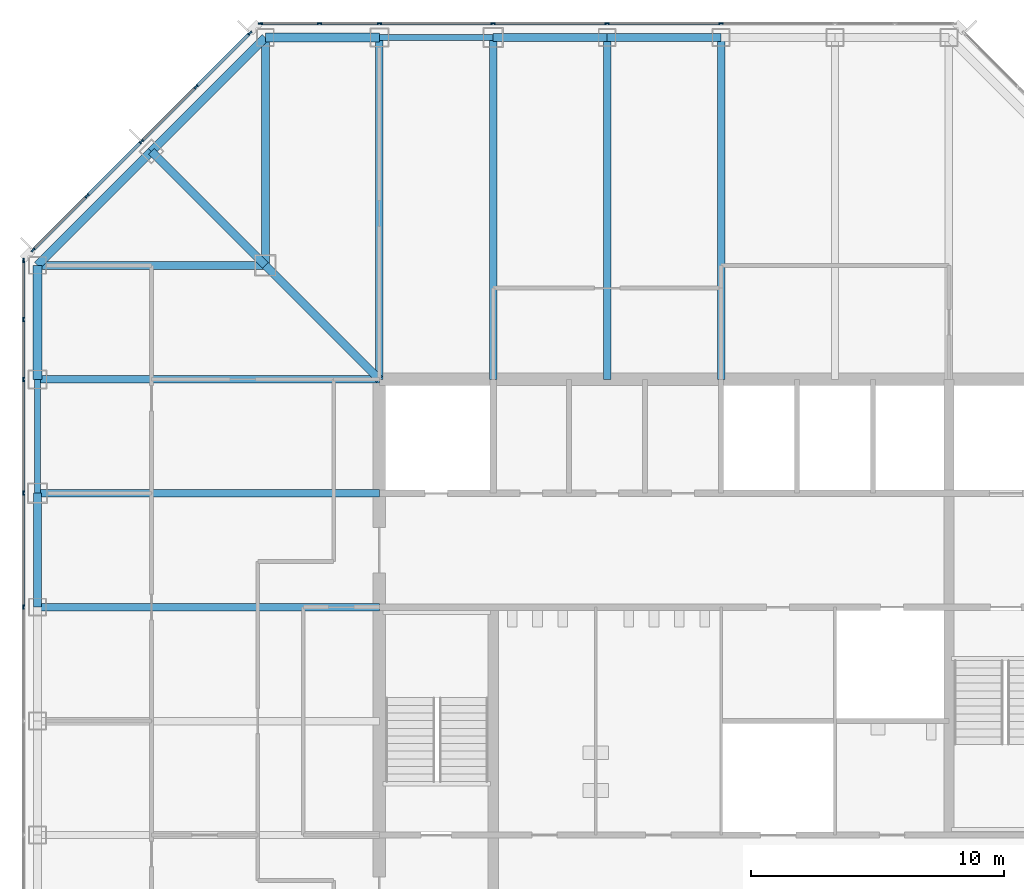
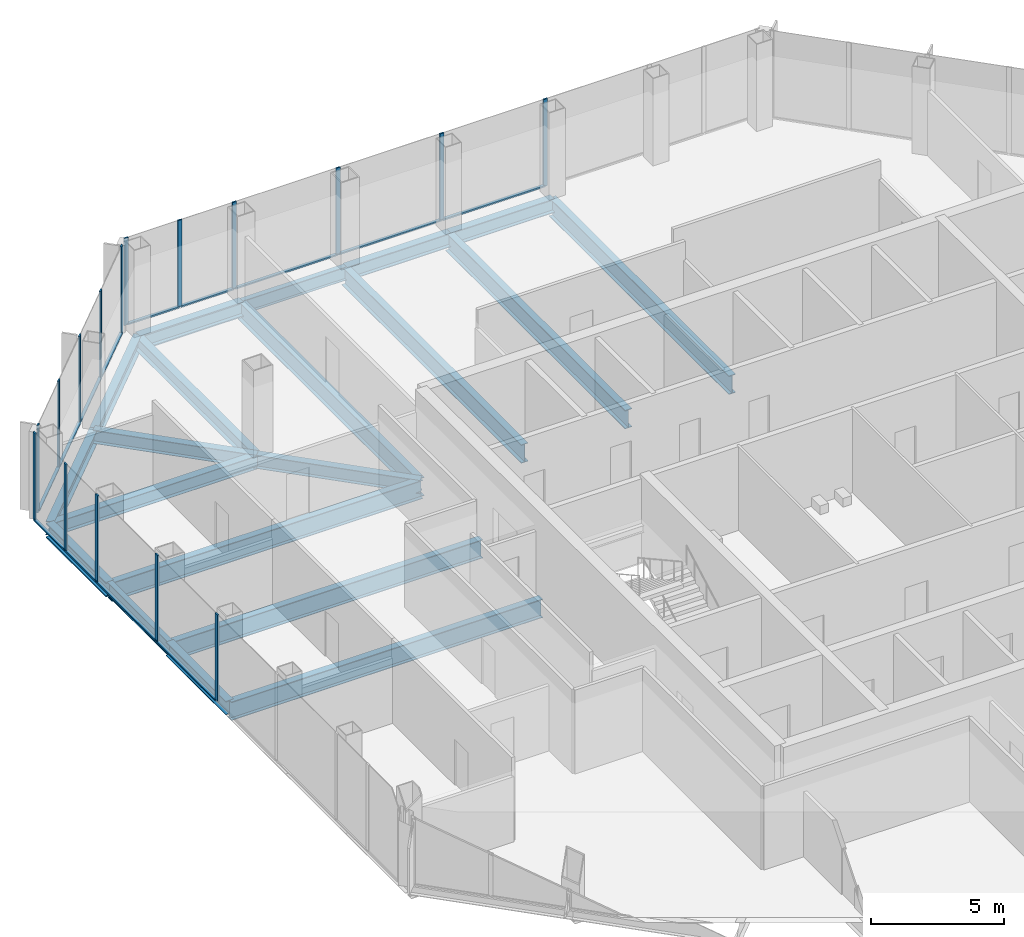
# One storey, part 5 of 13: 29 members, 20 beams, 3 elements without a shape of their own.
"""IFC4 building model written with IfcOpenShell, lengths in metres."""

from ifc_helpers import new_model, si_unit, direction, frame, origin, origin_2d, place, context, subcontext, project, spatial, rectangle, i_section, extrude, material, material_profile, profile_set, type_object, element, aggregate, save


model = new_model("IFC4")

# Units and contexts
model_context = context("Model", 3, precision=1e-05, world=origin(), true_north=direction((0.0, 1.0)))
body_context = subcontext(model_context, "Body", "Model", "MODEL_VIEW")
ifc_project = project(units=[si_unit("LENGTHUNIT", "METRE"), si_unit("AREAUNIT", "SQUARE_METRE"), si_unit("VOLUMEUNIT", "CUBIC_METRE"), si_unit("PLANEANGLEUNIT", "RADIAN"), si_unit("MASSUNIT", "GRAM", prefix="KILO")], contexts=[model_context])

# Site, building, storey
site_placement = place(None, origin())
site = spatial("IfcSite", under=ifc_project, at=site_placement, CompositionType="ELEMENT")
building_placement = place(site_placement, origin())
building = spatial("IfcBuilding", under=site, at=building_placement, Name="Corais Broadcast Tower", CompositionType="ELEMENT")
storey_placement = place(building_placement, frame((0.0, 0.0, 175.60009765625)))
storey = spatial("IfcBuildingStorey", under=building, at=storey_placement, Name="L40", CompositionType="ELEMENT", Elevation=175.60009765625)

# Beams
ifc_material_1 = material(Name="Steel ASTM A572 Grade 50", Category="steel")
ifc_material_profile_1 = material_profile(ifc_material_1, i_section(OverallWidth=0.323974609375, OverallDepth=0.611083984375, WebThickness=0.0126953125, FlangeThickness=0.01904296875, at=origin_2d()), Name="W610x155")
ifc_profile_set_1 = profile_set([ifc_material_profile_1], Name="Steel ASTM A572 Grade 50")
beam_type_1 = type_object("IfcBeamType", Name="Chamfer tie W610x155", PredefinedType="BEAM", material=ifc_profile_set_1)
beam_1_placement = place(storey_placement, frame((4.5, 49.5, -0.465576171875), z_axis=(0.707106781187, -0.707106781187, 0.0), x_axis=(0.707106781187, 0.707106781187, 0.0)))
element("IfcBeam", 1, at=beam_1_placement, inside=storey, type_object=beam_type_1, Name="B5 M/4 to L/5", PredefinedType="BEAM", context=body_context, shape_type="SweptSolid", body=[
    extrude(i_section(OverallWidth=0.323974609375, OverallDepth=0.611083984375, WebThickness=0.0126953125, FlangeThickness=0.01904296875, at=origin_2d()), origin(), (0.0, 0.0, 1.0), 6.364013671875),
])
ifc_material_2 = material(Name="Steel ASTM A572 Grade 50", Category="steel")
ifc_material_profile_2 = material_profile(ifc_material_2, i_section(OverallWidth=0.323974609375, OverallDepth=0.611083984375, WebThickness=0.0126953125, FlangeThickness=0.01904296875, at=origin_2d()), Name="W610x155")
ifc_profile_set_2 = profile_set([ifc_material_profile_2], Name="Steel ASTM A572 Grade 50")
beam_type_2 = type_object("IfcBeamType", Name="Corner diagonal W610x155", PredefinedType="BEAM", material=ifc_profile_set_2)
beam_2_placement = place(storey_placement, frame((9.0, 45.0, -0.465576171875), z_axis=(0.707106781187, -0.707106781187, 0.0), x_axis=(0.707106781187, 0.707106781187, 0.0)))
element("IfcBeam", 2, at=beam_2_placement, inside=storey, type_object=beam_type_2, Name="B6 L/5 to K/6", PredefinedType="BEAM", context=body_context, shape_type="SweptSolid", body=[
    extrude(i_section(OverallWidth=0.323974609375, OverallDepth=0.611083984375, WebThickness=0.0126953125, FlangeThickness=0.01904296875, at=origin_2d()), origin(), (0.0, 0.0, 1.0), 6.364013671875),
])
ifc_material_3 = material(Name="Steel ASTM A572 Grade 50", Category="steel")
ifc_material_profile_3 = material_profile(ifc_material_3, i_section(OverallWidth=0.323974609375, OverallDepth=0.611083984375, WebThickness=0.0126953125, FlangeThickness=0.01904296875, at=origin_2d()), Name="W610x155")
ifc_profile_set_3 = profile_set([ifc_material_profile_3], Name="Steel ASTM A572 Grade 50")
beam_type_3 = type_object("IfcBeamType", Name="Corner girder W610x155", PredefinedType="BEAM", material=ifc_profile_set_3)
for number, where, z_axis, x_axis, name in (
    (3, (0.0, 45.0, -0.465576171875), (1.0, 0.0, 0.0), (0.0, 1.0, 0.0), "B4 L/3 to L/5"),
    (4, (9.0, 54.0, -0.465576171875), (0.0, -1.0, 0.0), (1.0, 0.0, 0.0), "B4 N/5 to L/5"),
):
    element("IfcBeam", number, at=place(storey_placement, frame(where, z_axis=z_axis, x_axis=x_axis)), inside=storey, type_object=beam_type_3, Name=name, PredefinedType="BEAM", context=body_context, shape_type="SweptSolid", body=[
        extrude(i_section(OverallWidth=0.323974609375, OverallDepth=0.611083984375, WebThickness=0.0126953125, FlangeThickness=0.01904296875, at=origin_2d()), origin(), (0.0, 0.0, 1.0), 9.0),
    ])
ifc_material_4 = material(Name="Steel ASTM A572 Grade 50", Category="steel")
ifc_material_profile_4 = material_profile(ifc_material_4, i_section(OverallWidth=0.337890625, OverallDepth=0.677978515625, WebThickness=0.029541015625, FlangeThickness=0.052978515625, at=origin_2d()), Name="W610x415")
ifc_profile_set_4 = profile_set([ifc_material_profile_4], Name="Steel ASTM A572 Grade 50")
beam_type_4 = type_object("IfcBeamType", Name="Corner spandrel W610x415", PredefinedType="BEAM", material=ifc_profile_set_4)
for number, where, z_axis, x_axis, name in (
    (5, (0.0, 45.0, -0.4990234375), (0.0, -1.0, 0.0), (1.0, 0.0, 0.0), "SB10 L/3 to K/3"),
    (6, (13.5, 54.0, -0.4990234375), (-1.0, 0.0, 0.0), (0.0, -1.0, 0.0), "SB10 N/6 to N/5"),
):
    element("IfcBeam", number, at=place(storey_placement, frame(where, z_axis=z_axis, x_axis=x_axis)), inside=storey, type_object=beam_type_4, Name=name, PredefinedType="BEAM", context=body_context, shape_type="SweptSolid", body=[
        extrude(i_section(OverallWidth=0.337890625, OverallDepth=0.677978515625, WebThickness=0.029541015625, FlangeThickness=0.052978515625, at=origin_2d()), origin(), (0.0, 0.0, 1.0), 4.5),
    ])
ifc_material_5 = material(Name="Steel ASTM A572 Grade 50", Category="steel")
ifc_material_profile_5 = material_profile(ifc_material_5, i_section(OverallWidth=0.2939453125, OverallDepth=0.85107421875, WebThickness=0.01611328125, FlangeThickness=0.02685546875, at=origin_2d()), Name="W840x226")
ifc_profile_set_5 = profile_set([ifc_material_profile_5], Name="Steel ASTM A572 Grade 50")
beam_type_5 = type_object("IfcBeamType", Name="Floor beam W840x226", PredefinedType="BEAM", material=ifc_profile_set_5)
for number, where, z_axis, x_axis, name in (
    (7, (0.0, 31.5, -0.585693359375), (1.0, 0.0, 0.0), (0.0, 1.0, 0.0), "B1 H/3 to H/6"),
    (8, (0.0, 36.0, -0.585693359375), (1.0, 0.0, 0.0), (0.0, 1.0, 0.0), "B1 J/3 to J/6"),
    (9, (0.0, 40.5, -0.585693359375), (1.0, 0.0, 0.0), (0.0, 1.0, 0.0), "B1 K/3 to K/6"),
    (10, (13.5, 54.0, -0.585693359375), (0.0, -1.0, 0.0), (1.0, 0.0, 0.0), "B1 N/6 to K/6"),
    (11, (18.0, 54.0, -0.585693359375), (0.0, -1.0, 0.0), (1.0, 0.0, 0.0), "B1 N/7 to K/7"),
    (12, (22.5, 54.0, -0.585693359375), (0.0, -1.0, 0.0), (1.0, 0.0, 0.0), "B1 N/8 to K/8"),
    (13, (27.0, 54.0, -0.585693359375), (0.0, -1.0, 0.0), (1.0, 0.0, 0.0), "B1 N/9 to K/9"),
):
    element("IfcBeam", number, at=place(storey_placement, frame(where, z_axis=z_axis, x_axis=x_axis)), inside=storey, type_object=beam_type_5, Name=name, PredefinedType="BEAM", context=body_context, shape_type="SweptSolid", body=[
        extrude(i_section(OverallWidth=0.2939453125, OverallDepth=0.85107421875, WebThickness=0.01611328125, FlangeThickness=0.02685546875, at=origin_2d()), origin(), (0.0, 0.0, 1.0), 13.5),
    ])

# Curtain wall, members
ifc_material_6 = material(Name="Aluminium and glass", Category="aluminium")
curtain_wall_type = type_object("IfcCurtainWallType", Name="Unitised fritted curtain wall CW2", PredefinedType="NOTDEFINED", material=ifc_material_6)
curtain_wall_1_placement = place(storey_placement, origin())
curtain_wall_1 = element("IfcCurtainWall", 14, at=curtain_wall_1_placement, inside=storey, type_object=curtain_wall_type, Name="CW2 curtain wall L40 2", PredefinedType="NOTDEFINED")
ifc_material_7 = material(Name="Aluminium 6063-T6", Category="aluminium")
ifc_material_profile_6 = material_profile(ifc_material_7, rectangle(XDim=0.06494140625, YDim=0.179931640625, at=origin_2d()), Name="Mullion CW2 65x180")
ifc_profile_set_6 = profile_set([ifc_material_profile_6], Name="Aluminium 6063-T6")
member_type_1 = type_object("IfcMemberType", Name="Mullion CW2 65x180", PredefinedType="MULLION", material=ifc_profile_set_6)
member_1_placement = place(storey_placement, frame((-0.550048828125, 31.5, 0.0), z_axis=(0.0, 0.0, 1.0), x_axis=(-1.0, 0.0, 0.0)))
member_1 = element("IfcMember", 15, at=member_1_placement, type_object=member_type_1, Name="CW2 mullion 5", PredefinedType="MULLION", context=body_context, shape_type="SweptSolid", body=[
    extrude(rectangle(XDim=0.06494140625, YDim=0.179931640625, at=origin_2d()), origin(), (0.0, 0.0, 1.0), 4.0),
])
member_2_placement = place(storey_placement, frame((-0.550048828125, 36.0, 0.0), z_axis=(0.0, 0.0, 1.0), x_axis=(-1.0, 0.0, 0.0)))
member_2 = element("IfcMember", 16, at=member_2_placement, type_object=member_type_1, Name="CW2 mullion 6", PredefinedType="MULLION", context=body_context, shape_type="SweptSolid", body=[
    extrude(rectangle(XDim=0.06494140625, YDim=0.179931640625, at=origin_2d()), origin(), (0.0, 0.0, 1.0), 4.0),
])
member_3_placement = place(storey_placement, frame((-0.550048828125, 40.5, 0.0), z_axis=(0.0, 0.0, 1.0), x_axis=(-1.0, 0.0, 0.0)))
member_3 = element("IfcMember", 17, at=member_3_placement, type_object=member_type_1, Name="CW2 mullion 7", PredefinedType="MULLION", context=body_context, shape_type="SweptSolid", body=[
    extrude(rectangle(XDim=0.06494140625, YDim=0.179931640625, at=origin_2d()), origin(), (0.0, 0.0, 1.0), 4.0),
])
member_4_placement = place(storey_placement, frame((-0.550048828125, 42.864013671875, 0.0), z_axis=(0.0, 0.0, 1.0), x_axis=(-1.0, 0.0, 0.0)))
member_4 = element("IfcMember", 18, at=member_4_placement, type_object=member_type_1, Name="CW2 mullion 8", PredefinedType="MULLION", context=body_context, shape_type="SweptSolid", body=[
    extrude(rectangle(XDim=0.06494140625, YDim=0.179931640625, at=origin_2d()), origin(), (0.0, 0.0, 1.0), 4.0),
])
member_5_placement = place(storey_placement, frame((-0.550048828125, 45.1953125, 0.0), z_axis=(0.0, 0.0, 1.0), x_axis=(-1.0, 0.0, 0.0)))
member_5 = element("IfcMember", 19, at=member_5_placement, type_object=member_type_1, Name="CW2 mullion 9", PredefinedType="MULLION", context=body_context, shape_type="SweptSolid", body=[
    extrude(rectangle(XDim=0.06494140625, YDim=0.179931640625, at=origin_2d()), origin(), (0.0, 0.0, 1.0), 4.0),
])

curtain_wall_2_placement = place(storey_placement, origin())
curtain_wall_2 = element("IfcCurtainWall", 20, at=curtain_wall_2_placement, inside=storey, type_object=curtain_wall_type, Name="CW2 curtain wall L40 3", PredefinedType="NOTDEFINED")
member_6_placement = place(storey_placement, frame((-0.17333984375, 45.6044921875, 0.0), z_axis=(0.0, 0.0, 1.0), x_axis=(-0.707106781187, 0.707106781187, 0.0)))
member_6 = element("IfcMember", 21, at=member_6_placement, type_object=member_type_1, Name="CW2 mullion 1", PredefinedType="MULLION", context=body_context, shape_type="SweptSolid", body=[
    extrude(rectangle(XDim=0.06494140625, YDim=0.179931640625, at=origin_2d()), origin(), (0.0, 0.0, 1.0), 4.0),
])
member_7_placement = place(storey_placement, frame((1.957275390625, 47.735107421875, 0.0), z_axis=(0.0, 0.0, 1.0), x_axis=(-0.707106781187, 0.707106781187, 0.0)))
member_7 = element("IfcMember", 22, at=member_7_placement, type_object=member_type_1, Name="CW2 mullion 2", PredefinedType="MULLION", context=body_context, shape_type="SweptSolid", body=[
    extrude(rectangle(XDim=0.06494140625, YDim=0.179931640625, at=origin_2d()), origin(), (0.0, 0.0, 1.0), 4.0),
])
member_8_placement = place(storey_placement, frame((4.111083984375, 49.888916015625, 0.0), z_axis=(0.0, 0.0, 1.0), x_axis=(-0.707106781187, 0.707106781187, 0.0)))
member_8 = element("IfcMember", 23, at=member_8_placement, type_object=member_type_1, Name="CW2 mullion 3", PredefinedType="MULLION", context=body_context, shape_type="SweptSolid", body=[
    extrude(rectangle(XDim=0.06494140625, YDim=0.179931640625, at=origin_2d()), origin(), (0.0, 0.0, 1.0), 4.0),
])
member_9_placement = place(storey_placement, frame((6.264892578125, 52.042724609375, 0.0), z_axis=(0.0, 0.0, 1.0), x_axis=(-0.707106781187, 0.707106781187, 0.0)))
member_9 = element("IfcMember", 24, at=member_9_placement, type_object=member_type_1, Name="CW2 mullion 4", PredefinedType="MULLION", context=body_context, shape_type="SweptSolid", body=[
    extrude(rectangle(XDim=0.06494140625, YDim=0.179931640625, at=origin_2d()), origin(), (0.0, 0.0, 1.0), 4.0),
])
member_10_placement = place(storey_placement, frame((8.3955078125, 54.17333984375, 0.0), z_axis=(0.0, 0.0, 1.0), x_axis=(-0.707106781187, 0.707106781187, 0.0)))
member_10 = element("IfcMember", 25, at=member_10_placement, type_object=member_type_1, Name="CW2 mullion 5", PredefinedType="MULLION", context=body_context, shape_type="SweptSolid", body=[
    extrude(rectangle(XDim=0.06494140625, YDim=0.179931640625, at=origin_2d()), origin(), (0.0, 0.0, 1.0), 4.0),
])

curtain_wall_3_placement = place(storey_placement, origin())
curtain_wall_3 = element("IfcCurtainWall", 26, at=curtain_wall_3_placement, inside=storey, type_object=curtain_wall_type, Name="CW2 curtain wall L40 4", PredefinedType="NOTDEFINED")
member_11_placement = place(storey_placement, frame((8.8046875, 54.550048828125, 0.0), z_axis=(0.0, 0.0, 1.0), x_axis=(0.0, 1.0, 0.0)))
member_11 = element("IfcMember", 27, at=member_11_placement, type_object=member_type_1, Name="CW2 mullion 1", PredefinedType="MULLION", context=body_context, shape_type="SweptSolid", body=[
    extrude(rectangle(XDim=0.06494140625, YDim=0.179931640625, at=origin_2d()), origin(), (0.0, 0.0, 1.0), 4.0),
])
member_12_placement = place(storey_placement, frame((11.135986328125, 54.550048828125, 0.0), z_axis=(0.0, 0.0, 1.0), x_axis=(0.0, 1.0, 0.0)))
member_12 = element("IfcMember", 28, at=member_12_placement, type_object=member_type_1, Name="CW2 mullion 2", PredefinedType="MULLION", context=body_context, shape_type="SweptSolid", body=[
    extrude(rectangle(XDim=0.06494140625, YDim=0.179931640625, at=origin_2d()), origin(), (0.0, 0.0, 1.0), 4.0),
])
member_13_placement = place(storey_placement, frame((13.5, 54.550048828125, 0.0), z_axis=(0.0, 0.0, 1.0), x_axis=(0.0, 1.0, 0.0)))
member_13 = element("IfcMember", 29, at=member_13_placement, type_object=member_type_1, Name="CW2 mullion 3", PredefinedType="MULLION", context=body_context, shape_type="SweptSolid", body=[
    extrude(rectangle(XDim=0.06494140625, YDim=0.179931640625, at=origin_2d()), origin(), (0.0, 0.0, 1.0), 4.0),
])
member_14_placement = place(storey_placement, frame((18.0, 54.550048828125, 0.0), z_axis=(0.0, 0.0, 1.0), x_axis=(0.0, 1.0, 0.0)))
member_14 = element("IfcMember", 30, at=member_14_placement, type_object=member_type_1, Name="CW2 mullion 4", PredefinedType="MULLION", context=body_context, shape_type="SweptSolid", body=[
    extrude(rectangle(XDim=0.06494140625, YDim=0.179931640625, at=origin_2d()), origin(), (0.0, 0.0, 1.0), 4.0),
])
member_15_placement = place(storey_placement, frame((22.5, 54.550048828125, 0.0), z_axis=(0.0, 0.0, 1.0), x_axis=(0.0, 1.0, 0.0)))
member_15 = element("IfcMember", 31, at=member_15_placement, type_object=member_type_1, Name="CW2 mullion 5", PredefinedType="MULLION", context=body_context, shape_type="SweptSolid", body=[
    extrude(rectangle(XDim=0.06494140625, YDim=0.179931640625, at=origin_2d()), origin(), (0.0, 0.0, 1.0), 4.0),
])
member_16_placement = place(storey_placement, frame((27.0, 54.550048828125, 0.0), z_axis=(0.0, 0.0, 1.0), x_axis=(0.0, 1.0, 0.0)))
member_16 = element("IfcMember", 32, at=member_16_placement, type_object=member_type_1, Name="CW2 mullion 6", PredefinedType="MULLION", context=body_context, shape_type="SweptSolid", body=[
    extrude(rectangle(XDim=0.06494140625, YDim=0.179931640625, at=origin_2d()), origin(), (0.0, 0.0, 1.0), 4.0),
])

# Beams
ifc_material_8 = material(Name="Steel ASTM A572 Grade 50", Category="steel")
ifc_material_profile_7 = material_profile(ifc_material_8, i_section(OverallWidth=0.22900390625, OverallDepth=0.612060546875, WebThickness=0.011962890625, FlangeThickness=0.01953125, at=origin_2d()), Name="W610x125")
ifc_profile_set_7 = profile_set([ifc_material_profile_7], Name="Steel ASTM A572 Grade 50")
beam_type_6 = type_object("IfcBeamType", Name="Pinned spandrel W610x125", PredefinedType="BEAM", material=ifc_profile_set_7)
for number, where, z_axis, x_axis, name in (
    (33, (0.0, 40.5, -0.466064453125), (0.0, -1.0, 0.0), (1.0, 0.0, 0.0), "SB7 K/3 to J/3"),
    (34, (18.0, 54.0, -0.466064453125), (-1.0, 0.0, 0.0), (0.0, -1.0, 0.0), "SB7 N/7 to N/6"),
):
    element("IfcBeam", number, at=place(storey_placement, frame(where, z_axis=z_axis, x_axis=x_axis)), inside=storey, type_object=beam_type_6, Name=name, PredefinedType="BEAM", context=body_context, shape_type="SweptSolid", body=[
        extrude(i_section(OverallWidth=0.22900390625, OverallDepth=0.612060546875, WebThickness=0.011962890625, FlangeThickness=0.01953125, at=origin_2d()), origin(), (0.0, 0.0, 1.0), 4.5),
    ])
ifc_material_9 = material(Name="Steel ASTM A572 Grade 50", Category="steel")
ifc_material_profile_8 = material_profile(ifc_material_9, i_section(OverallWidth=0.3291015625, OverallDepth=0.635009765625, WebThickness=0.017822265625, FlangeThickness=0.031005859375, at=origin_2d()), Name="W610x241")
ifc_profile_set_8 = profile_set([ifc_material_profile_8], Name="Steel ASTM A572 Grade 50")
beam_type_7 = type_object("IfcBeamType", Name="Spandrel W610x241", PredefinedType="BEAM", material=ifc_profile_set_8)
for number, where, z_axis, x_axis, name in (
    (35, (0.0, 36.0, -0.4775390625), (0.0, -1.0, 0.0), (1.0, 0.0, 0.0), "SB1 J/3 to H/3"),
    (36, (22.5, 54.0, -0.4775390625), (-1.0, 0.0, 0.0), (0.0, -1.0, 0.0), "SB1 N/8 to N/7"),
    (37, (27.0, 54.0, -0.4775390625), (-1.0, 0.0, 0.0), (0.0, -1.0, 0.0), "SB1 N/9 to N/8"),
):
    element("IfcBeam", number, at=place(storey_placement, frame(where, z_axis=z_axis, x_axis=x_axis)), inside=storey, type_object=beam_type_7, Name=name, PredefinedType="BEAM", context=body_context, shape_type="SweptSolid", body=[
        extrude(i_section(OverallWidth=0.3291015625, OverallDepth=0.635009765625, WebThickness=0.017822265625, FlangeThickness=0.031005859375, at=origin_2d()), origin(), (0.0, 0.0, 1.0), 4.5),
    ])
for number, where, z_axis, x_axis, name in (
    (38, (4.5, 49.5, -0.4775390625), (-0.707106781187, -0.707106781187, 0.0), (0.707106781187, -0.707106781187, 0.0), "SB1 M/4 to L/3"),
    (39, (9.0, 54.0, -0.4775390625), (-0.707106781187, -0.707106781187, 0.0), (0.707106781187, -0.707106781187, 0.0), "SB1 N/5 to M/4"),
):
    element("IfcBeam", number, at=place(storey_placement, frame(where, z_axis=z_axis, x_axis=x_axis)), inside=storey, type_object=beam_type_7, Name=name, PredefinedType="BEAM", context=body_context, shape_type="SweptSolid", body=[
        extrude(i_section(OverallWidth=0.3291015625, OverallDepth=0.635009765625, WebThickness=0.017822265625, FlangeThickness=0.031005859375, at=origin_2d()), origin(), (0.0, 0.0, 1.0), 6.364013671875),
    ])

# Member
ifc_material_10 = material(Name="Aluminium 6063-T6", Category="aluminium")
ifc_material_profile_9 = material_profile(ifc_material_10, rectangle(XDim=0.1298828125, YDim=0.06494140625, at=origin_2d()), Name="Transom CW2 65x130")
ifc_profile_set_9 = profile_set([ifc_material_profile_9], Name="Aluminium 6063-T6")
member_type_2 = type_object("IfcMemberType", Name="Transom CW2 65x130", PredefinedType="USERDEFINED", material=ifc_profile_set_9)
member_17_placement = place(storey_placement, frame((-0.550048828125, 31.532470703125, 0.032470703125), z_axis=(0.0, 1.0, 0.0), x_axis=(-1.0, 0.0, 0.0)))
member_17 = element("IfcMember", 40, at=member_17_placement, type_object=member_type_2, Name="CW2 transom 5.1", ObjectType="TRANSOM", PredefinedType="USERDEFINED", context=body_context, shape_type="SweptSolid", body=[
    extrude(rectangle(XDim=0.1298828125, YDim=0.06494140625, at=origin_2d()), origin(), (0.0, 0.0, 1.0), 4.43505859375),
])

member_18_placement = place(storey_placement, frame((-0.550048828125, 36.032470703125, 0.032470703125), z_axis=(0.0, 1.0, 0.0), x_axis=(-1.0, 0.0, 0.0)))
member_18 = element("IfcMember", 41, at=member_18_placement, type_object=member_type_2, Name="CW2 transom 6.1", ObjectType="TRANSOM", PredefinedType="USERDEFINED", context=body_context, shape_type="SweptSolid", body=[
    extrude(rectangle(XDim=0.1298828125, YDim=0.06494140625, at=origin_2d()), origin(), (0.0, 0.0, 1.0), 4.43505859375),
])

member_19_placement = place(storey_placement, frame((-0.550048828125, 40.532470703125, 0.032470703125), z_axis=(0.0, 1.0, 0.0), x_axis=(-1.0, 0.0, 0.0)))
member_19 = element("IfcMember", 42, at=member_19_placement, type_object=member_type_2, Name="CW2 transom 7.1", ObjectType="TRANSOM", PredefinedType="USERDEFINED", context=body_context, shape_type="SweptSolid", body=[
    extrude(rectangle(XDim=0.1298828125, YDim=0.06494140625, at=origin_2d()), origin(), (0.0, 0.0, 1.0), 2.298828125),
])

member_20_placement = place(storey_placement, frame((-0.550048828125, 42.896484375, 0.032470703125), z_axis=(0.0, 1.0, 0.0), x_axis=(-1.0, 0.0, 0.0)))
member_20 = element("IfcMember", 43, at=member_20_placement, type_object=member_type_2, Name="CW2 transom 8.1", ObjectType="TRANSOM", PredefinedType="USERDEFINED", context=body_context, shape_type="SweptSolid", body=[
    extrude(rectangle(XDim=0.1298828125, YDim=0.06494140625, at=origin_2d()), origin(), (0.0, 0.0, 1.0), 2.266357421875),
])

aggregate(curtain_wall_1, [member_1, member_2, member_3, member_4, member_5, member_17, member_18, member_19, member_20])

member_21_placement = place(storey_placement, frame((-0.150390625, 45.62744140625, 0.032470703125), z_axis=(0.707106781187, 0.707106781187, 0.0), x_axis=(-0.707106781187, 0.707106781187, 0.0)))
member_21 = element("IfcMember", 44, at=member_21_placement, type_object=member_type_2, Name="CW2 transom 1.1", ObjectType="TRANSOM", PredefinedType="USERDEFINED", context=body_context, shape_type="SweptSolid", body=[
    extrude(rectangle(XDim=0.1298828125, YDim=0.06494140625, at=origin_2d()), origin(), (0.0, 0.0, 1.0), 2.9482421875),
])

member_22_placement = place(storey_placement, frame((1.980224609375, 47.758056640625, 0.032470703125), z_axis=(0.707106781187, 0.707106781187, 0.0), x_axis=(-0.707106781187, 0.707106781187, 0.0)))
member_22 = element("IfcMember", 45, at=member_22_placement, type_object=member_type_2, Name="CW2 transom 2.1", ObjectType="TRANSOM", PredefinedType="USERDEFINED", context=body_context, shape_type="SweptSolid", body=[
    extrude(rectangle(XDim=0.1298828125, YDim=0.06494140625, at=origin_2d()), origin(), (0.0, 0.0, 1.0), 2.98095703125),
])

member_23_placement = place(storey_placement, frame((4.134033203125, 49.911865234375, 0.032470703125), z_axis=(0.707106781187, 0.707106781187, 0.0), x_axis=(-0.707106781187, 0.707106781187, 0.0)))
member_23 = element("IfcMember", 46, at=member_23_placement, type_object=member_type_2, Name="CW2 transom 3.1", ObjectType="TRANSOM", PredefinedType="USERDEFINED", context=body_context, shape_type="SweptSolid", body=[
    extrude(rectangle(XDim=0.1298828125, YDim=0.06494140625, at=origin_2d()), origin(), (0.0, 0.0, 1.0), 2.98095703125),
])

member_24_placement = place(storey_placement, frame((6.287841796875, 52.065673828125, 0.032470703125), z_axis=(0.707106781187, 0.707106781187, 0.0), x_axis=(-0.707106781187, 0.707106781187, 0.0)))
member_24 = element("IfcMember", 47, at=member_24_placement, type_object=member_type_2, Name="CW2 transom 4.1", ObjectType="TRANSOM", PredefinedType="USERDEFINED", context=body_context, shape_type="SweptSolid", body=[
    extrude(rectangle(XDim=0.1298828125, YDim=0.06494140625, at=origin_2d()), origin(), (0.0, 0.0, 1.0), 2.9482421875),
])

aggregate(curtain_wall_2, [member_6, member_7, member_8, member_9, member_10, member_21, member_22, member_23, member_24])

member_25_placement = place(storey_placement, frame((8.837158203125, 54.550048828125, 0.032470703125), z_axis=(1.0, 0.0, 0.0), x_axis=(0.0, 1.0, 0.0)))
member_25 = element("IfcMember", 48, at=member_25_placement, type_object=member_type_2, Name="CW2 transom 1.1", ObjectType="TRANSOM", PredefinedType="USERDEFINED", context=body_context, shape_type="SweptSolid", body=[
    extrude(rectangle(XDim=0.1298828125, YDim=0.06494140625, at=origin_2d()), origin(), (0.0, 0.0, 1.0), 2.266357421875),
])

member_26_placement = place(storey_placement, frame((11.168701171875, 54.550048828125, 0.032470703125), z_axis=(1.0, 0.0, 0.0), x_axis=(0.0, 1.0, 0.0)))
member_26 = element("IfcMember", 49, at=member_26_placement, type_object=member_type_2, Name="CW2 transom 2.1", ObjectType="TRANSOM", PredefinedType="USERDEFINED", context=body_context, shape_type="SweptSolid", body=[
    extrude(rectangle(XDim=0.1298828125, YDim=0.06494140625, at=origin_2d()), origin(), (0.0, 0.0, 1.0), 2.298828125),
])

member_27_placement = place(storey_placement, frame((13.532470703125, 54.550048828125, 0.032470703125), z_axis=(1.0, 0.0, 0.0), x_axis=(0.0, 1.0, 0.0)))
member_27 = element("IfcMember", 50, at=member_27_placement, type_object=member_type_2, Name="CW2 transom 3.1", ObjectType="TRANSOM", PredefinedType="USERDEFINED", context=body_context, shape_type="SweptSolid", body=[
    extrude(rectangle(XDim=0.1298828125, YDim=0.06494140625, at=origin_2d()), origin(), (0.0, 0.0, 1.0), 4.43505859375),
])

member_28_placement = place(storey_placement, frame((18.032470703125, 54.550048828125, 0.032470703125), z_axis=(1.0, 0.0, 0.0), x_axis=(0.0, 1.0, 0.0)))
member_28 = element("IfcMember", 51, at=member_28_placement, type_object=member_type_2, Name="CW2 transom 4.1", ObjectType="TRANSOM", PredefinedType="USERDEFINED", context=body_context, shape_type="SweptSolid", body=[
    extrude(rectangle(XDim=0.1298828125, YDim=0.06494140625, at=origin_2d()), origin(), (0.0, 0.0, 1.0), 4.43505859375),
])

member_29_placement = place(storey_placement, frame((22.532470703125, 54.550048828125, 0.032470703125), z_axis=(1.0, 0.0, 0.0), x_axis=(0.0, 1.0, 0.0)))
member_29 = element("IfcMember", 52, at=member_29_placement, type_object=member_type_2, Name="CW2 transom 5.1", ObjectType="TRANSOM", PredefinedType="USERDEFINED", context=body_context, shape_type="SweptSolid", body=[
    extrude(rectangle(XDim=0.1298828125, YDim=0.06494140625, at=origin_2d()), origin(), (0.0, 0.0, 1.0), 4.43505859375),
])

aggregate(curtain_wall_3, [member_11, member_12, member_13, member_14, member_15, member_16, member_25, member_26, member_27, member_28, member_29])

save(model, "model.ifc")
